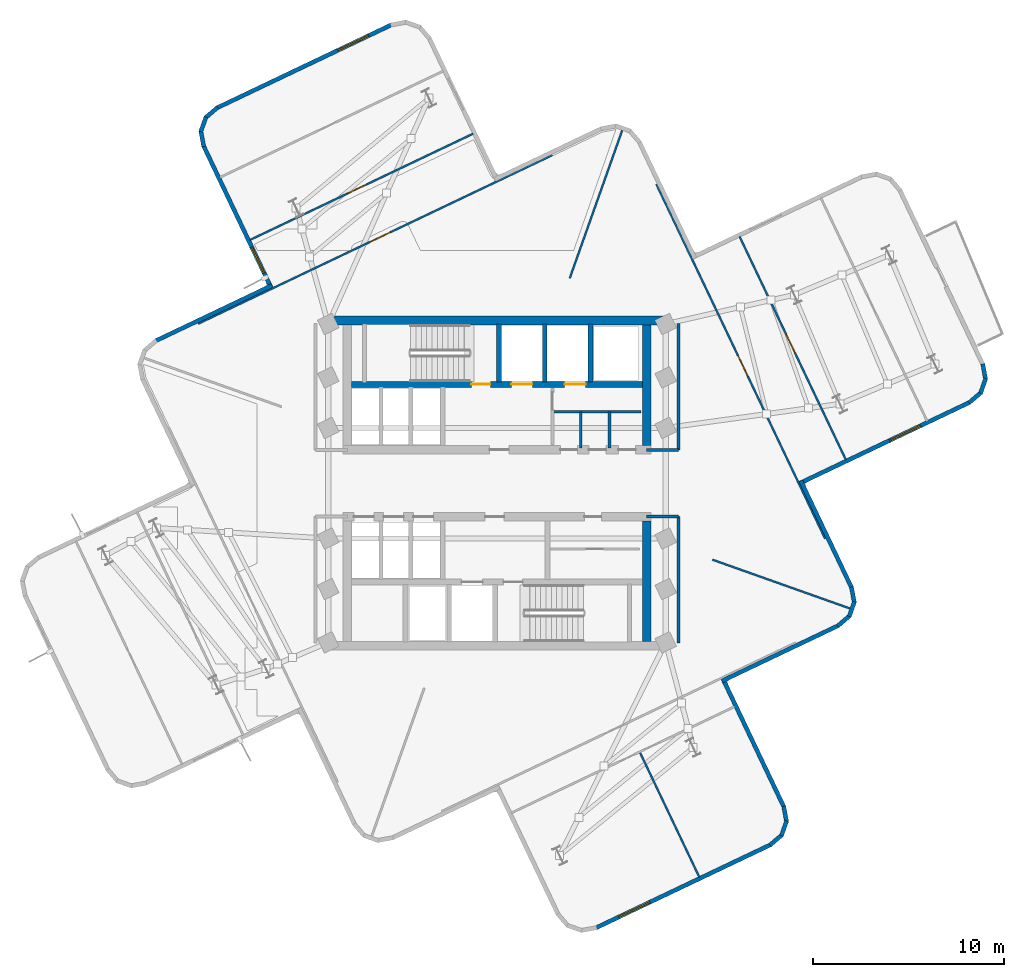
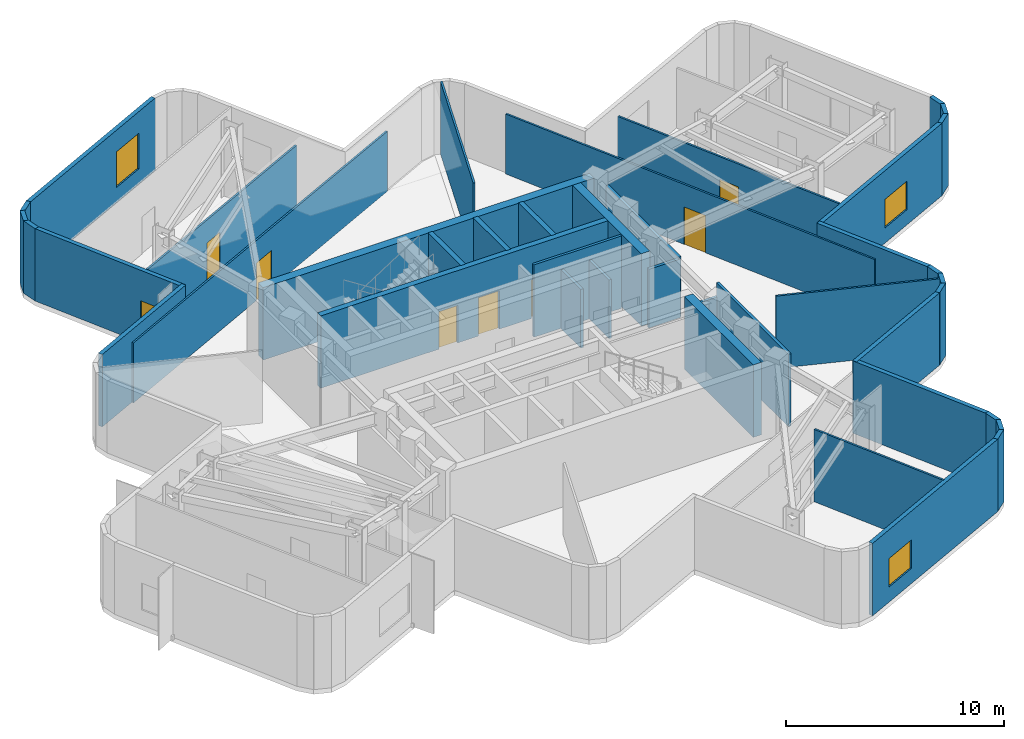
# One storey, part 4 of 7: 41 walls, 7 doors, 4 windows, 11 openings.
"""IFC4 building model written with IfcOpenShell, lengths in metres."""

import ifcopenshell
import ifcopenshell.guid

model = None  # the IFC model being written
_history = None  # IfcOwnerHistory: only IFC2X3 demands one
_inside = {}  # id of a spatial element -> (the spatial element, [elements in it])
_under = {}  # id of a project, library or spatial element -> (it, [spatial elements below it])
_declared = {}  # id of a project -> (the project, [libraries it declares])
_typed = {}  # id of a type object -> (the type object, [elements of that type])
_made_of = {}  # id of a material, layer set ... -> (it, [elements and type objects made of it])


def new_model(schema):
    """Start an empty IFC model of exactly this schema.

    Asked for "IFC4X3", IfcOpenShell would pick the latest addendum, in which some entities
    have other attributes; the version numbers below select the first issue.
    IFC2X3 requires an IfcOwnerHistory on every rooted entity: one is made here for all.
    """
    global model, _history
    if schema == "IFC4X3":
        model = ifcopenshell.file(schema_version=(4, 3, 0, 0))
    else:
        model = ifcopenshell.file(schema=schema)
    _inside.clear()
    _under.clear()
    _declared.clear()
    _typed.clear()
    _made_of.clear()
    _history = None
    if model.schema == "IFC2X3":
        org = make("IfcOrganization", Name="unknown")
        user = make(
            "IfcPersonAndOrganization",
            ThePerson=make("IfcPerson", FamilyName="unknown"),
            TheOrganization=org,
        )
        app = make(
            "IfcApplication",
            ApplicationDeveloper=org,
            Version="unknown",
            ApplicationFullName="unknown",
            ApplicationIdentifier="unknown",
        )
        _history = make(
            "IfcOwnerHistory",
            OwningUser=user,
            OwningApplication=app,
            ChangeAction="ADDED",
            CreationDate=0,
        )
    return model


def make(cls, **values):
    """One entity of the class cls with the attributes given. An attribute that is None is left unset."""
    return model.create_entity(
        cls, **{name: value for name, value in values.items() if value is not None}
    )


def rooted(cls, **values):
    """An entity with a GlobalId (a new one), such as an element, a storey or a relation."""
    return make(cls, GlobalId=ifcopenshell.guid.new(), OwnerHistory=_history, **values)


def si_unit(unit_type, name, prefix=None):
    """IfcSIUnit, for example si_unit("LENGTHUNIT", "METRE", prefix="MILLI")."""
    return make("IfcSIUnit", UnitType=unit_type, Prefix=prefix, Name=name)


def assignment(units):
    """IfcUnitAssignment: the units of a project."""
    return None if units is None else make("IfcUnitAssignment", Units=units)


def point(xyz):
    """IfcCartesianPoint."""
    return None if xyz is None else make("IfcCartesianPoint", Coordinates=xyz)


def direction(xyz):
    """IfcDirection."""
    return None if xyz is None else make("IfcDirection", DirectionRatios=xyz)


def frame(location, z_axis=None, x_axis=None):
    """IfcAxis2Placement3D, a coordinate frame: its origin and axes. An axis left out is left unset."""
    return make(
        "IfcAxis2Placement3D",
        Location=point(location),
        Axis=direction(z_axis),
        RefDirection=direction(x_axis),
    )


def frame_2d(location, x_axis=None):
    """IfcAxis2Placement2D, a coordinate frame in the plane: its origin and x axis."""
    return make(
        "IfcAxis2Placement2D", Location=point(location), RefDirection=direction(x_axis)
    )


def origin():
    """The frame at (0, 0, 0) with its axes left unset."""
    return frame((0.0, 0.0, 0.0))


def place(relative_to, where):
    """IfcLocalPlacement: puts the frame where relative to a parent placement (None: the world)."""
    return make(
        "IfcLocalPlacement", PlacementRelTo=relative_to, RelativePlacement=where
    )


def context(
    kind, dimensions, precision=None, world=None, true_north=None, identifier=None
):
    """IfcGeometricRepresentationContext, for example the 3D "Model" context."""
    return make(
        "IfcGeometricRepresentationContext",
        ContextIdentifier=identifier,
        ContextType=kind,
        CoordinateSpaceDimension=dimensions,
        Precision=precision,
        WorldCoordinateSystem=world,
        TrueNorth=true_north,
    )


def subcontext(parent, identifier, kind, view, scale=None):
    """IfcGeometricRepresentationSubContext, for example "Body" below "Model"."""
    return make(
        "IfcGeometricRepresentationSubContext",
        ContextIdentifier=identifier,
        ContextType=kind,
        ParentContext=parent,
        TargetScale=scale,
        TargetView=view,
    )


def project(units=None, contexts=None):
    """IfcProject with its units and contexts."""
    return rooted(
        "IfcProject",
        Name="project",
        RepresentationContexts=contexts,
        UnitsInContext=assignment(units),
    )


def spatial(cls, under=None, at=None, **own):
    """A site, building, storey or space (cls), placed at a placement, below another one or the project."""
    s = rooted(cls, ObjectPlacement=at, **own)
    if under is not None:
        _under.setdefault(under.id(), (under, []))[1].append(s)
    return s


def profile(cls, at=None, kind="AREA", **sizes):
    """A parametric profile (cls). Its sizes go by their IFC names, for example OverallWidth=200.0."""
    return make(cls, ProfileType=kind, Position=at, **sizes)


def rectangle(**sizes):
    """IfcRectangleProfileDef."""
    return profile("IfcRectangleProfileDef", **sizes)


def extrude(swept, where, along, depth):
    """IfcExtrudedAreaSolid: the profile swept, set in the frame where, extruded along a direction by depth."""
    return make(
        "IfcExtrudedAreaSolid",
        SweptArea=swept,
        Position=where,
        ExtrudedDirection=direction(along),
        Depth=depth,
    )


def shape(context_of_items, identifier, shape_type, items):
    """IfcShapeRepresentation: the items that make up one representation, for example the "Body"."""
    return make(
        "IfcShapeRepresentation",
        ContextOfItems=context_of_items,
        RepresentationIdentifier=identifier,
        RepresentationType=shape_type,
        Items=items,
    )


def material(Name=None, Category=None):
    """IfcMaterial."""
    return make("IfcMaterial", Name=Name, Category=Category)


def layer(
    of_material, thickness, ventilated=None, Name=None, Category=None, Priority=None
):
    """IfcMaterialLayer: one layer of a wall or slab, of a material (None: an air gap)."""
    return make(
        "IfcMaterialLayer",
        Material=of_material,
        LayerThickness=thickness,
        IsVentilated=ventilated,
        Name=Name,
        Category=Category,
        Priority=Priority,
    )


def layer_set(layers, Name=None):
    """IfcMaterialLayerSet."""
    return make("IfcMaterialLayerSet", MaterialLayers=layers, LayerSetName=Name)


def made_of(thing, what):
    """Note that an element or type object is made of a material, layer set ...; save() writes the relation."""
    if what is not None:
        _made_of.setdefault(what.id(), (what, []))[1].append(thing)
    return thing


def type_object(cls, material=None, **own):
    """A type object (cls), such as IfcWallType, which elements share."""
    return made_of(rooted(cls, **own), material)


def element(
    cls,
    number,
    at=None,
    inside=None,
    cuts=None,
    type_object=None,
    material=None,
    context=None,
    identifier="Body",
    shape_type=None,
    held_by="IfcProductDefinitionShape",
    body=None,
    shapes=None,
    **own,
):
    """One element of the class cls, such as IfcWall. Its Tag is "e" and its number.

    at: its placement. inside: the storey or other place that contains it. cuts: it is an
    opening in that element (IfcRelVoidsElement). A single representation is given by context,
    identifier, shape_type and body (its items); several are given by shapes. held_by: the class
    of the entity that holds the representations. save() writes the other relations.
    """
    e = rooted(cls, Tag="e%d" % number, ObjectPlacement=at, **own)
    if body is not None:
        shapes = [shape(context, identifier, shape_type, body)]
    if shapes is not None:
        e.Representation = make(held_by, Representations=shapes)
    if inside is not None:
        _inside.setdefault(inside.id(), (inside, []))[1].append(e)
    if cuts is not None:
        rooted(
            "IfcRelVoidsElement", RelatingBuildingElement=cuts, RelatedOpeningElement=e
        )
    if type_object is not None:
        _typed.setdefault(type_object.id(), (type_object, []))[1].append(e)
    return made_of(e, material)


def fill(opening, filler):
    """IfcRelFillsElement: the door or window that sits in an opening."""
    return rooted(
        "IfcRelFillsElement",
        RelatingOpeningElement=opening,
        RelatedBuildingElement=filler,
    )


def aggregate(whole, parts):
    """IfcRelAggregates: a whole, such as a stair, and the parts it consists of."""
    return rooted("IfcRelAggregates", RelatingObject=whole, RelatedObjects=parts)


def save(model, path):
    """Write the relations noted so far, then the file.

    IfcRelAggregates (storeys below a building ...), IfcRelContainedInSpatialStructure (elements
    in a storey), IfcRelDefinesByType, IfcRelAssociatesMaterial and IfcRelDeclares: one each for
    every whole, place, type object, material and project.
    """
    for whole, parts in _under.values():
        aggregate(whole, parts)
    for where, things in _inside.values():
        rooted(
            "IfcRelContainedInSpatialStructure",
            RelatedElements=things,
            RelatingStructure=where,
        )
    for kind, things in _typed.values():
        rooted("IfcRelDefinesByType", RelatedObjects=things, RelatingType=kind)
    for what, things in _made_of.values():
        rooted("IfcRelAssociatesMaterial", RelatedObjects=things, RelatingMaterial=what)
    for by, libraries in _declared.values():
        rooted("IfcRelDeclares", RelatingContext=by, RelatedDefinitions=libraries)
    model.write(path)


model = new_model("IFC4")

# Units and contexts
model_context = context("Model", 3, precision=1e-05, world=origin(), true_north=direction((0.0, 1.0)))
body_context = subcontext(model_context, "Body", "Model", "MODEL_VIEW")
ifc_project = project(units=[si_unit("LENGTHUNIT", "METRE"), si_unit("AREAUNIT", "SQUARE_METRE"), si_unit("VOLUMEUNIT", "CUBIC_METRE"), si_unit("PLANEANGLEUNIT", "RADIAN"), si_unit("MASSUNIT", "GRAM", prefix="KILO")], contexts=[model_context])

# Site, building, storey
site_placement = place(None, origin())
site = spatial("IfcSite", under=ifc_project, at=site_placement, CompositionType="ELEMENT")
building_placement = place(site_placement, origin())
building = spatial("IfcBuilding", under=site, at=building_placement, Name="Solmarez Civic Tower", CompositionType="ELEMENT")
storey_placement = place(building_placement, frame((0.0, 0.0, 188.280029296875)))
storey = spatial("IfcBuildingStorey", under=building, at=storey_placement, Name="L50", CompositionType="ELEMENT", Elevation=188.280029296875)

# Walls
ifc_material_1 = material(Name="Concrete C50/60", Category="concrete")
ifc_layer_1 = layer(ifc_material_1, 0.449951171875)
ifc_layer_set_1 = layer_set([ifc_layer_1], Name="Concrete C50/60")
wall_type_1 = type_object("IfcWallType", Name="WALL-CORE-450", PredefinedType="SHEAR", material=ifc_layer_set_1)
wall_1_placement = place(storey_placement, frame((-8.780029296875, 8.534912109375, 0.0), z_axis=(0.0, 0.0, 1.0), x_axis=(1.0, 0.0, 0.0)))
element("IfcWall", 1, at=wall_1_placement, inside=storey, type_object=wall_type_1, Name="L50 Split-Core Structural Wall NCW-N-L50", PredefinedType="SHEAR", context=body_context, shape_type="SweptSolid", body=[
    extrude(rectangle(XDim=17.56005859375, YDim=0.449951171875, at=frame_2d((8.780029296875, 0.0))), origin(), (0.0, 0.0, 1.0), 4.06005859375),
])
for number, where, z_axis, x_axis, name in (
    (2, (7.844970703125, 8.31005859375, 0.0), (0.0, 0.0, 1.0), (0.0, -1.0, 0.0), "L50 Split-Core Structural Wall NCW-E-L50"),
    (3, (7.844970703125, -1.97509765625, 0.0), (0.0, 0.0, 1.0), (0.0, -1.0, 0.0), "L50 Split-Core Structural Wall SCW-E-L50"),
):
    element("IfcWall", number, at=place(storey_placement, frame(where, z_axis=z_axis, x_axis=x_axis)), inside=storey, type_object=wall_type_1, Name=name, PredefinedType="SHEAR", context=body_context, shape_type="SweptSolid", body=[
        extrude(rectangle(XDim=6.3349609375, YDim=0.449951171875, at=frame_2d((3.16748046875, 0.0))), origin(), (0.0, 0.0, 1.0), 4.06005859375),
    ])
ifc_material_2 = material(Name="Precast concrete C40/50", Category="concrete")
ifc_layer_2 = layer(ifc_material_2, 0.219970703125)
ifc_layer_set_2 = layer_set([ifc_layer_2], Name="Precast concrete C40/50")
wall_type_2 = type_object("IfcWallType", Name="WALL-EXT-220", PredefinedType="SOLIDWALL", material=ifc_layer_set_2)
wall_2_placement = place(storey_placement, frame((-17.909912109375, 7.466064453125, 0.0), z_axis=(0.0, 0.0, 1.0), x_axis=(0.902871867899, 0.429909746524, 0.0)))
element("IfcWall", 4, at=wall_2_placement, inside=storey, type_object=wall_type_2, Name="L50 Exterior Precast Wall 17", PredefinedType="SOLIDWALL", context=body_context, shape_type="SweptSolid", body=[
    extrude(rectangle(XDim=6.759521484375, YDim=0.219970703125, at=frame_2d((3.3798828125, 0.0))), origin(), (0.0, 0.0, 1.0), 4.06005859375),
])

# Wall, opening, window
wall_3_placement = place(storey_placement, frame((-11.847900390625, 10.2548828125, 0.0), z_axis=(0.0, 0.0, 1.0), x_axis=(-0.429985218275, 0.902835927544, 0.0)))
wall_3 = element("IfcWall", 5, at=wall_3_placement, inside=storey, type_object=wall_type_2, Name="L50 Exterior Precast Wall 20", PredefinedType="SOLIDWALL", context=body_context, shape_type="SweptSolid", body=[
    extrude(rectangle(XDim=8.258544921875, YDim=0.219970703125, at=frame_2d((4.12939453125, 0.0))), origin(), (0.0, 0.0, 1.0), 4.06005859375),
])
opening_1_placement = place(wall_3_placement, frame((0.85009765625, 0.0, 0.85009765625)))
opening_1 = element("IfcOpeningElement", 6, at=opening_1_placement, cuts=wall_3, Name="Opening W-14", PredefinedType="OPENING", context=body_context, shape_type="SweptSolid", body=[
    extrude(rectangle(XDim=1.5, YDim=1.5, at=frame_2d((0.75, 0.75))), frame((0.0, 0.119873046875, 0.0), z_axis=(0.0, -1.0, 0.0), x_axis=(1.0, 0.0, 0.0)), (0.0, 0.0, 1.0), 0.239990234375),
])
ifc_material_3 = material(Name="Solar Control Bronze-Tinted Insulating Glass", Category="glass")
window_type_1 = type_object("IfcWindowType", Name="WIN-1500X1500", PartitioningType="SINGLE_PANEL", PredefinedType="WINDOW", material=ifc_material_3)
window_1_placement = place(opening_1_placement, origin())
window_1 = element("IfcWindow", 7, at=window_1_placement, inside=storey, type_object=window_type_1, Name="L50 Exterior Facade Window 20", OverallHeight=1.5, OverallWidth=1.5, PartitioningType="SINGLE_PANEL", PredefinedType="WINDOW", context=body_context, shape_type="SweptSolid", body=[
    extrude(rectangle(XDim=1.5, YDim=1.5, at=frame_2d((0.75, 0.75))), frame((0.0, 0.030029296875, 0.0), z_axis=(0.0, -1.0, 0.0), x_axis=(1.0, 0.0, 0.0)), (0.0, 0.0, 1.0), 0.06005859375),
])
fill(opening_1, window_1)

# Walls
wall_4_placement = place(storey_placement, frame((-15.383056640625, 17.6630859375, 0.0), z_axis=(0.0, 0.0, 1.0), x_axis=(-0.183052517283, 0.983103135951, 0.0)))
element("IfcWall", 8, at=wall_4_placement, inside=storey, type_object=wall_type_2, Name="L50 Exterior Precast Wall 21", PredefinedType="SOLIDWALL", context=body_context, shape_type="SweptSolid", body=[
    extrude(rectangle(XDim=0.8349609375, YDim=0.219970703125, at=frame_2d((0.41748046875, 0.0))), origin(), (0.0, 0.0, 1.0), 4.06005859375),
])
wall_5_placement = place(storey_placement, frame((-15.5390625, 18.43505859375, 0.0), z_axis=(0.0, 0.0, 1.0), x_axis=(0.334298968001, 0.94246708165, 0.0)))
element("IfcWall", 9, at=wall_5_placement, inside=storey, type_object=wall_type_2, Name="L50 Exterior Precast Wall 22", PredefinedType="SOLIDWALL", context=body_context, shape_type="SweptSolid", body=[
    extrude(rectangle(XDim=0.820068359375, YDim=0.219970703125, at=frame_2d((0.41015625, 0.0))), origin(), (0.0, 0.0, 1.0), 4.06005859375),
])
wall_6_placement = place(storey_placement, frame((-15.2919921875, 19.16796875, 0.0), z_axis=(0.0, 0.0, 1.0), x_axis=(0.76070207285, 0.649101191157, 0.0)))
element("IfcWall", 10, at=wall_6_placement, inside=storey, type_object=wall_type_2, Name="L50 Exterior Precast Wall 23", PredefinedType="SOLIDWALL", context=body_context, shape_type="SweptSolid", body=[
    extrude(rectangle(XDim=0.83349609375, YDim=0.219970703125, at=frame_2d((0.416748046875, 0.0))), origin(), (0.0, 0.0, 1.0), 4.06005859375),
])

# Wall, opening, window
wall_7_placement = place(storey_placement, frame((-14.699951171875, 19.681884765625, 0.0), z_axis=(0.0, 0.0, 1.0), x_axis=(0.902875615419, 0.429901876109, 0.0)))
wall_7 = element("IfcWall", 11, at=wall_7_placement, inside=storey, type_object=wall_type_2, Name="L50 Exterior Precast Wall 24", PredefinedType="SOLIDWALL", context=body_context, shape_type="SweptSolid", body=[
    extrude(rectangle(XDim=10.1630859375, YDim=0.219970703125, at=frame_2d((5.08154296875, 0.0))), origin(), (0.0, 0.0, 1.0), 4.06005859375),
])
opening_2_placement = place(wall_7_placement, frame((7.027099609375, 0.0, 0.85009765625)))
opening_2 = element("IfcOpeningElement", 12, at=opening_2_placement, cuts=wall_7, Name="Opening W-04", PredefinedType="OPENING", context=body_context, shape_type="SweptSolid", body=[
    extrude(rectangle(XDim=1.800048828125, YDim=2.0, at=frame_2d((0.89990234375, 1.0))), frame((0.0, 0.119873046875, 0.0), z_axis=(0.0, -1.0, 0.0), x_axis=(1.0, 0.0, 0.0)), (0.0, 0.0, 1.0), 0.239990234375),
])
window_type_2 = type_object("IfcWindowType", Name="WIN-1800X2000", PartitioningType="SINGLE_PANEL", PredefinedType="WINDOW", material=ifc_material_3)
window_2_placement = place(opening_2_placement, origin())
window_2 = element("IfcWindow", 13, at=window_2_placement, inside=storey, type_object=window_type_2, Name="L50 Exterior Facade Window 24", OverallHeight=2.0, OverallWidth=1.800048828125, PartitioningType="SINGLE_PANEL", PredefinedType="WINDOW", context=body_context, shape_type="SweptSolid", body=[
    extrude(rectangle(XDim=1.800048828125, YDim=2.0, at=frame_2d((0.89990234375, 1.0))), frame((0.0, 0.030029296875, 0.0), z_axis=(0.0, -1.0, 0.0), x_axis=(1.0, 0.0, 0.0)), (0.0, 0.0, 1.0), 0.06005859375),
])
fill(opening_2, window_2)

# Walls
wall_8_placement = place(storey_placement, frame((25.47900390625, 6.260009765625, 0.0), z_axis=(0.0, 0.0, 1.0), x_axis=(0.183282428617, -0.983060298944, 0.0)))
element("IfcWall", 14, at=wall_8_placement, inside=storey, type_object=wall_type_2, Name="L50 Exterior Precast Wall 43", PredefinedType="SOLIDWALL", context=body_context, shape_type="SweptSolid", body=[
    extrude(rectangle(XDim=0.835205078125, YDim=0.219970703125, at=frame_2d((0.41748046875, 0.0))), origin(), (0.0, 0.0, 1.0), 4.06005859375),
])
wall_9_placement = place(storey_placement, frame((25.635009765625, 5.488037109375, 0.0), z_axis=(0.0, 0.0, 1.0), x_axis=(-0.332975902111, -0.94293533639, 0.0)))
element("IfcWall", 15, at=wall_9_placement, inside=storey, type_object=wall_type_2, Name="L50 Exterior Precast Wall 44", PredefinedType="SOLIDWALL", context=body_context, shape_type="SweptSolid", body=[
    extrude(rectangle(XDim=0.81982421875, YDim=0.219970703125, at=frame_2d((0.409912109375, 0.0))), origin(), (0.0, 0.0, 1.0), 4.06005859375),
])
wall_10_placement = place(storey_placement, frame((25.388916015625, 4.7548828125, 0.0), z_axis=(0.0, 0.0, 1.0), x_axis=(-0.76133955124, -0.648353366396, 0.0)))
element("IfcWall", 16, at=wall_10_placement, inside=storey, type_object=wall_type_2, Name="L50 Exterior Precast Wall 45", PredefinedType="SOLIDWALL", context=body_context, shape_type="SweptSolid", body=[
    extrude(rectangle(XDim=0.833984375, YDim=0.219970703125, at=frame_2d((0.4169921875, 0.0))), origin(), (0.0, 0.0, 1.0), 4.06005859375),
])

# Wall, opening, window
wall_11_placement = place(storey_placement, frame((24.7958984375, 4.240966796875, 0.0), z_axis=(0.0, 0.0, 1.0), x_axis=(-0.902859145715, -0.429936463909, 0.0)))
wall_11 = element("IfcWall", 17, at=wall_11_placement, inside=storey, type_object=wall_type_2, Name="L50 Exterior Precast Wall 46", PredefinedType="SOLIDWALL", context=body_context, shape_type="SweptSolid", body=[
    extrude(rectangle(XDim=9.859619140625, YDim=0.219970703125, at=frame_2d((4.9296875, 0.0))), origin(), (0.0, 0.0, 1.0), 4.06005859375),
])
opening_3_placement = place(wall_11_placement, frame((2.85009765625, 0.0, 0.85009765625)))
opening_3 = element("IfcOpeningElement", 18, at=opening_3_placement, cuts=wall_11, Name="Opening W-12", PredefinedType="OPENING", context=body_context, shape_type="SweptSolid", body=[
    extrude(rectangle(XDim=1.800048828125, YDim=1.60009765625, at=frame_2d((0.89990234375, 0.800048828125))), frame((0.0, 0.119873046875, 0.0), z_axis=(0.0, -1.0, 0.0), x_axis=(1.0, 0.0, 0.0)), (0.0, 0.0, 1.0), 0.239990234375),
])
window_type_3 = type_object("IfcWindowType", Name="WIN-1800X1600", PartitioningType="SINGLE_PANEL", PredefinedType="WINDOW", material=ifc_material_3)
window_3_placement = place(opening_3_placement, origin())
window_3 = element("IfcWindow", 19, at=window_3_placement, inside=storey, type_object=window_type_3, Name="L50 Exterior Facade Window 46", OverallHeight=1.60009765625, OverallWidth=1.800048828125, PartitioningType="SINGLE_PANEL", PredefinedType="WINDOW", context=body_context, shape_type="SweptSolid", body=[
    extrude(rectangle(XDim=1.800048828125, YDim=1.60009765625, at=frame_2d((0.89990234375, 0.800048828125))), frame((0.0, 0.030029296875, 0.0), z_axis=(0.0, -1.0, 0.0), x_axis=(1.0, 0.0, 0.0)), (0.0, 0.0, 1.0), 0.06005859375),
])
fill(opening_3, window_3)

# Walls
wall_12_placement = place(storey_placement, frame((15.93505859375, 0.118896484375, 0.0), z_axis=(0.0, 0.0, 1.0), x_axis=(0.429997588734, -0.902830035878, 0.0)))
element("IfcWall", 20, at=wall_12_placement, inside=storey, type_object=wall_type_2, Name="L50 Exterior Precast Wall 49", PredefinedType="SOLIDWALL", context=body_context, shape_type="SweptSolid", body=[
    extrude(rectangle(XDim=6.21826171875, YDim=0.219970703125, at=frame_2d((3.109130859375, 0.0))), origin(), (0.0, 0.0, 1.0), 4.06005859375),
])
wall_13_placement = place(storey_placement, frame((18.593017578125, -5.447021484375, 0.0), z_axis=(0.0, 0.0, 1.0), x_axis=(0.183282428617, -0.983060298944, 0.0)))
element("IfcWall", 21, at=wall_13_placement, inside=storey, type_object=wall_type_2, Name="L50 Exterior Precast Wall 50", PredefinedType="SOLIDWALL", context=body_context, shape_type="SweptSolid", body=[
    extrude(rectangle(XDim=0.835205078125, YDim=0.219970703125, at=frame_2d((0.41748046875, 0.0))), origin(), (0.0, 0.0, 1.0), 4.06005859375),
])
wall_14_placement = place(storey_placement, frame((18.7490234375, -6.218994140625, 0.0), z_axis=(0.0, 0.0, 1.0), x_axis=(-0.33403451258, -0.942560843875, 0.0)))
element("IfcWall", 22, at=wall_14_placement, inside=storey, type_object=wall_type_2, Name="L50 Exterior Precast Wall 51", PredefinedType="SOLIDWALL", context=body_context, shape_type="SweptSolid", body=[
    extrude(rectangle(XDim=0.820068359375, YDim=0.219970703125, at=frame_2d((0.41015625, 0.0))), origin(), (0.0, 0.0, 1.0), 4.06005859375),
])
wall_15_placement = place(storey_placement, frame((18.501953125, -6.951904296875, 0.0), z_axis=(0.0, 0.0, 1.0), x_axis=(-0.76070207285, -0.649101191157, 0.0)))
element("IfcWall", 23, at=wall_15_placement, inside=storey, type_object=wall_type_2, Name="L50 Exterior Precast Wall 52", PredefinedType="SOLIDWALL", context=body_context, shape_type="SweptSolid", body=[
    extrude(rectangle(XDim=0.83349609375, YDim=0.219970703125, at=frame_2d((0.416748046875, 0.0))), origin(), (0.0, 0.0, 1.0), 4.06005859375),
])
wall_16_placement = place(storey_placement, frame((17.909912109375, -7.466064453125, 0.0), z_axis=(0.0, 0.0, 1.0), x_axis=(-0.902871867899, -0.429909746524, 0.0)))
element("IfcWall", 24, at=wall_16_placement, inside=storey, type_object=wall_type_2, Name="L50 Exterior Precast Wall 53", PredefinedType="SOLIDWALL", context=body_context, shape_type="SweptSolid", body=[
    extrude(rectangle(XDim=6.759521484375, YDim=0.219970703125, at=frame_2d((3.3798828125, 0.0))), origin(), (0.0, 0.0, 1.0), 4.06005859375),
])
wall_17_placement = place(storey_placement, frame((11.847900390625, -10.2548828125, 0.0), z_axis=(0.0, 0.0, 1.0), x_axis=(0.429966614546, -0.902844787533, 0.0)))
element("IfcWall", 25, at=wall_17_placement, inside=storey, type_object=wall_type_2, Name="L50 Exterior Precast Wall 56", PredefinedType="SOLIDWALL", context=body_context, shape_type="SweptSolid", body=[
    extrude(rectangle(XDim=7.458740234375, YDim=0.219970703125, at=frame_2d((3.7294921875, 0.0))), origin(), (0.0, 0.0, 1.0), 4.06005859375),
])
wall_18_placement = place(storey_placement, frame((15.0390625, -16.94091796875, 0.0), z_axis=(0.0, 0.0, 1.0), x_axis=(0.182999909077, -0.983112930074, 0.0)))
element("IfcWall", 26, at=wall_18_placement, inside=storey, type_object=wall_type_2, Name="L50 Exterior Precast Wall 57", PredefinedType="SOLIDWALL", context=body_context, shape_type="SweptSolid", body=[
    extrude(rectangle(XDim=0.835205078125, YDim=0.219970703125, at=frame_2d((0.41748046875, 0.0))), origin(), (0.0, 0.0, 1.0), 4.06005859375),
])
wall_19_placement = place(storey_placement, frame((15.195068359375, -17.712890625, 0.0), z_axis=(0.0, 0.0, 1.0), x_axis=(-0.33420520266, -0.942500335552, 0.0)))
element("IfcWall", 27, at=wall_19_placement, inside=storey, type_object=wall_type_2, Name="L50 Exterior Precast Wall 58", PredefinedType="SOLIDWALL", context=body_context, shape_type="SweptSolid", body=[
    extrude(rectangle(XDim=0.8203125, YDim=0.219970703125, at=frame_2d((0.41015625, 0.0))), origin(), (0.0, 0.0, 1.0), 4.06005859375),
])
wall_20_placement = place(storey_placement, frame((14.947998046875, -18.446044921875, 0.0), z_axis=(0.0, 0.0, 1.0), x_axis=(-0.76070207285, -0.649101191157, 0.0)))
element("IfcWall", 28, at=wall_20_placement, inside=storey, type_object=wall_type_2, Name="L50 Exterior Precast Wall 59", PredefinedType="SOLIDWALL", context=body_context, shape_type="SweptSolid", body=[
    extrude(rectangle(XDim=0.83349609375, YDim=0.219970703125, at=frame_2d((0.416748046875, 0.0))), origin(), (0.0, 0.0, 1.0), 4.06005859375),
])

# Wall, opening, window
wall_21_placement = place(storey_placement, frame((14.35595703125, -18.9599609375, 0.0), z_axis=(0.0, 0.0, 1.0), x_axis=(-0.902857854372, -0.429939175696, 0.0)))
wall_21 = element("IfcWall", 29, at=wall_21_placement, inside=storey, type_object=wall_type_2, Name="L50 Exterior Precast Wall 60", PredefinedType="SOLIDWALL", context=body_context, shape_type="SweptSolid", body=[
    extrude(rectangle(XDim=10.162109375, YDim=0.219970703125, at=frame_2d((5.0810546875, 0.0))), origin(), (0.0, 0.0, 1.0), 4.06005859375),
])
opening_4_placement = place(wall_21_placement, frame((7.02587890625, 0.0, 0.85009765625)))
opening_4 = element("IfcOpeningElement", 30, at=opening_4_placement, cuts=wall_21, Name="Opening W-12", PredefinedType="OPENING", context=body_context, shape_type="SweptSolid", body=[
    extrude(rectangle(XDim=1.800048828125, YDim=1.60009765625, at=frame_2d((0.89990234375, 0.800048828125))), frame((0.0, 0.119873046875, 0.0), z_axis=(0.0, -1.0, 0.0), x_axis=(1.0, 0.0, 0.0)), (0.0, 0.0, 1.0), 0.239990234375),
])
window_4_placement = place(opening_4_placement, origin())
window_4 = element("IfcWindow", 31, at=window_4_placement, inside=storey, type_object=window_type_3, Name="L50 Exterior Facade Window 60", OverallHeight=1.60009765625, OverallWidth=1.800048828125, PartitioningType="SINGLE_PANEL", PredefinedType="WINDOW", context=body_context, shape_type="SweptSolid", body=[
    extrude(rectangle(XDim=1.800048828125, YDim=1.60009765625, at=frame_2d((0.89990234375, 0.800048828125))), frame((0.0, 0.030029296875, 0.0), z_axis=(0.0, -1.0, 0.0), x_axis=(1.0, 0.0, 0.0)), (0.0, 0.0, 1.0), 0.06005859375),
])
fill(opening_4, window_4)

# Walls
ifc_material_4 = material(Name="Gypsum Board Acoustic Steel-Stud Partition", Category="steel")
ifc_layer_3 = layer(ifc_material_4, 0.14990234375)
ifc_layer_set_3 = layer_set([ifc_layer_3], Name="Gypsum Board Acoustic Steel-Stud Partition")
wall_type_3 = type_object("IfcWallType", Name="WALL-INT-FIRE-150", PredefinedType="PARTITIONING", material=ifc_layer_set_3)
wall_22_placement = place(storey_placement, frame((9.52001953125, 1.75, 0.0), z_axis=(0.0, 0.0, 1.0), x_axis=(0.0, 1.0, 0.0)))
element("IfcWall", 32, at=wall_22_placement, inside=storey, type_object=wall_type_3, Name="L50 Interior Partition CHW-L50-EN1", PredefinedType="PARTITIONING", context=body_context, shape_type="SweptSolid", body=[
    extrude(rectangle(XDim=6.6298828125, YDim=0.14990234375, at=frame_2d((3.31494140625, 0.0))), origin(), (0.0, 0.0, 1.0), 3.364013671875),
])
wall_23_placement = place(storey_placement, frame((7.85009765625, 1.75, 0.0), z_axis=(0.0, 0.0, 1.0), x_axis=(1.0, 0.0, 0.0)))
element("IfcWall", 33, at=wall_23_placement, inside=storey, type_object=wall_type_3, Name="L50 Interior Partition CHW-L50-EN3", PredefinedType="PARTITIONING", context=body_context, shape_type="SweptSolid", body=[
    extrude(rectangle(XDim=1.669921875, YDim=0.14990234375, at=frame_2d((0.8349609375, 0.0))), origin(), (0.0, 0.0, 1.0), 3.2900390625),
])
wall_24_placement = place(storey_placement, frame((9.52001953125, -8.3798828125, 0.0), z_axis=(0.0, 0.0, 1.0), x_axis=(0.0, 1.0, 0.0)))
element("IfcWall", 34, at=wall_24_placement, inside=storey, type_object=wall_type_3, Name="L50 Interior Partition CHW-L50-ES1", PredefinedType="PARTITIONING", context=body_context, shape_type="SweptSolid", body=[
    extrude(rectangle(XDim=6.6298828125, YDim=0.14990234375, at=frame_2d((3.31494140625, 0.0))), origin(), (0.0, 0.0, 1.0), 4.06005859375),
])
wall_25_placement = place(storey_placement, frame((7.85009765625, -1.75, 0.0), z_axis=(0.0, 0.0, 1.0), x_axis=(1.0, 0.0, 0.0)))
element("IfcWall", 35, at=wall_25_placement, inside=storey, type_object=wall_type_3, Name="L50 Interior Partition CHW-L50-ES3", PredefinedType="PARTITIONING", context=body_context, shape_type="SweptSolid", body=[
    extrude(rectangle(XDim=1.669921875, YDim=0.14990234375, at=frame_2d((0.8349609375, 0.0))), origin(), (0.0, 0.0, 1.0), 3.2900390625),
])
ifc_layer_4 = layer(ifc_material_4, 0.10009765625)
ifc_layer_set_4 = layer_set([ifc_layer_4], Name="Gypsum Board Acoustic Steel-Stud Partition")
wall_type_4 = type_object("IfcWallType", Name="WALL-INT-PART-100", PredefinedType="PARTITIONING", material=ifc_layer_set_4)
wall_26_placement = place(storey_placement, frame((3.81298828125, 10.742919921875, 0.0), z_axis=(0.0, 0.0, 1.0), x_axis=(0.334412381202, 0.942426845595, 0.0)))
element("IfcWall", 36, at=wall_26_placement, inside=storey, type_object=wall_type_4, Name="L50 Interior Partition PT-L50-QDIV-1", PredefinedType="PARTITIONING", context=body_context, shape_type="SweptSolid", body=[
    extrude(rectangle(XDim=8.2744140625, YDim=0.10009765625, at=frame_2d((4.13720703125, 0.0))), origin(), (0.0, 0.0, 1.0), 4.06005859375),
])
wall_27_placement = place(storey_placement, frame((11.300048828125, -4.010986328125, 0.0), z_axis=(0.0, 0.0, 1.0), x_axis=(0.942439374513, -0.334377070636, 0.0)))
element("IfcWall", 37, at=wall_27_placement, inside=storey, type_object=wall_type_4, Name="L50 Interior Partition PT-L50-QDIV-4", PredefinedType="PARTITIONING", context=body_context, shape_type="SweptSolid", body=[
    extrude(rectangle(XDim=7.68310546875, YDim=0.10009765625, at=frame_2d((3.841552734375, 0.0))), origin(), (0.0, 0.0, 1.0), 4.06005859375),
])

# Wall, opening, door
wall_28_placement = place(storey_placement, frame((8.362060546875, 15.677001953125, 0.0), z_axis=(0.0, 0.0, 1.0), x_axis=(0.429924831179, -0.902864685064, 0.0)))
wall_28 = element("IfcWall", 38, at=wall_28_placement, inside=storey, type_object=wall_type_4, Name="L50 Interior Partition PT-L50-E-ENT", PredefinedType="PARTITIONING", context=body_context, shape_type="SweptSolid", body=[
    extrude(rectangle(XDim=20.580078125, YDim=0.10009765625, at=frame_2d((10.2900390625, 0.0))), origin(), (0.0, 0.0, 1.0), 3.364013671875),
])
opening_5_placement = place(wall_28_placement, frame((9.9599609375, 0.0, 0.0)))
opening_5 = element("IfcOpeningElement", 39, at=opening_5_placement, cuts=wall_28, Name="Opening D-11", PredefinedType="OPENING", context=body_context, shape_type="SweptSolid", body=[
    extrude(rectangle(XDim=1.199951171875, YDim=2.10009765625, at=frame_2d((0.60009765625, 1.050048828125))), frame((0.0, 0.06005859375, 0.0), z_axis=(0.0, -1.0, 0.0), x_axis=(1.0, 0.0, 0.0)), (0.0, 0.0, 1.0), 0.1201171875),
])
ifc_material_5 = material(Name="Glazed-Vision Acoustic Chamber Door", Category="wood")
door_type_1 = type_object("IfcDoorType", Name="DOOR-INT-1200", OperationType="NOTDEFINED", PredefinedType="DOOR", material=ifc_material_5)
door_1_placement = place(opening_5_placement, origin())
door_1 = element("IfcDoor", 40, at=door_1_placement, inside=storey, type_object=door_type_1, Name="L50 Tribunal Chamber Tribunal Mediation Conference Room First East Door", OperationType="SINGLE_SWING_LEFT", OverallHeight=2.10009765625, OverallWidth=1.199951171875, PredefinedType="DOOR", context=body_context, shape_type="SweptSolid", body=[
    extrude(rectangle(XDim=1.199951171875, YDim=2.10009765625, at=frame_2d((0.60009765625, 1.050048828125))), frame((0.0, 0.02490234375, 0.0), z_axis=(0.0, -1.0, 0.0), x_axis=(1.0, 0.0, 0.0)), (0.0, 0.0, 1.0), 0.050048828125),
])
fill(opening_5, door_1)

wall_29_placement = place(storey_placement, frame((12.721923828125, 12.94091796875, 0.0), z_axis=(0.0, 0.0, 1.0), x_axis=(0.429933580392, -0.902860518824, 0.0)))
wall_29 = element("IfcWall", 41, at=wall_29_placement, inside=storey, type_object=wall_type_4, Name="L50 Interior Partition PT-L50-E-SC1", PredefinedType="PARTITIONING", context=body_context, shape_type="SweptSolid", body=[
    extrude(rectangle(XDim=12.9697265625, YDim=0.10009765625, at=frame_2d((6.48486328125, 0.0))), origin(), (0.0, 0.0, 1.0), 3.364013671875),
])
opening_6_placement = place(wall_29_placement, frame((5.68994140625, 0.0, 0.0)))
opening_6 = element("IfcOpeningElement", 42, at=opening_6_placement, cuts=wall_29, Name="Opening D-13", PredefinedType="OPENING", context=body_context, shape_type="SweptSolid", body=[
    extrude(rectangle(XDim=1.050048828125, YDim=2.080078125, at=frame_2d((0.52490234375, 1.0400390625))), frame((0.0, 0.06005859375, 0.0), z_axis=(0.0, -1.0, 0.0), x_axis=(1.0, 0.0, 0.0)), (0.0, 0.0, 1.0), 0.1201171875),
])
ifc_material_6 = material(Name="Timber Directorate Office Door", Category="wood")
door_type_2 = type_object("IfcDoorType", Name="DOOR-INT-1050", OperationType="NOTDEFINED", PredefinedType="DOOR", material=ifc_material_6)
door_2_placement = place(opening_6_placement, origin())
door_2 = element("IfcDoor", 43, at=door_2_placement, inside=storey, type_object=door_type_2, Name="L50 Counsel Administration Office East Door", OperationType="SINGLE_SWING_LEFT", OverallHeight=2.080078125, OverallWidth=1.050048828125, PredefinedType="DOOR", context=body_context, shape_type="SweptSolid", body=[
    extrude(rectangle(XDim=1.050048828125, YDim=2.080078125, at=frame_2d((0.52490234375, 1.0400390625))), frame((0.0, 0.02490234375, 0.0), z_axis=(0.0, -1.0, 0.0), x_axis=(1.0, 0.0, 0.0)), (0.0, 0.0, 1.0), 0.050048828125),
])
fill(opening_6, door_2)

wall_30_placement = place(storey_placement, frame((-15.677001953125, 8.362060546875, 0.0), z_axis=(0.0, 0.0, 1.0), x_axis=(0.902864685064, 0.429924831179, 0.0)))
wall_30 = element("IfcWall", 44, at=wall_30_placement, inside=storey, type_object=wall_type_4, Name="L50 Interior Partition PT-L50-N-ENT", PredefinedType="PARTITIONING", context=body_context, shape_type="SweptSolid", body=[
    extrude(rectangle(XDim=20.580078125, YDim=0.10009765625, at=frame_2d((10.2900390625, 0.0))), origin(), (0.0, 0.0, 1.0), 3.364013671875),
])
opening_7_placement = place(wall_30_placement, frame((9.9599609375, 0.0, 0.0)))
opening_7 = element("IfcOpeningElement", 45, at=opening_7_placement, cuts=wall_30, Name="Opening D-11", PredefinedType="OPENING", context=body_context, shape_type="SweptSolid", body=[
    extrude(rectangle(XDim=1.199951171875, YDim=2.10009765625, at=frame_2d((0.60009765625, 1.050048828125))), frame((0.0, 0.06005859375, 0.0), z_axis=(0.0, -1.0, 0.0), x_axis=(1.0, 0.0, 0.0)), (0.0, 0.0, 1.0), 0.1201171875),
])
door_3_placement = place(opening_7_placement, origin())
door_3 = element("IfcDoor", 46, at=door_3_placement, inside=storey, type_object=door_type_1, Name="L50 Counsel Administration Office First North Door", OperationType="SINGLE_SWING_LEFT", OverallHeight=2.10009765625, OverallWidth=1.199951171875, PredefinedType="DOOR", context=body_context, shape_type="SweptSolid", body=[
    extrude(rectangle(XDim=1.199951171875, YDim=2.10009765625, at=frame_2d((0.60009765625, 1.050048828125))), frame((0.0, 0.02490234375, 0.0), z_axis=(0.0, -1.0, 0.0), x_axis=(1.0, 0.0, 0.0)), (0.0, 0.0, 1.0), 0.050048828125),
])
fill(opening_7, door_3)

wall_31_placement = place(storey_placement, frame((-12.9580078125, 12.758056640625, 0.0), z_axis=(0.0, 0.0, 1.0), x_axis=(0.902867825554, 0.429918235923, 0.0)))
wall_31 = element("IfcWall", 47, at=wall_31_placement, inside=storey, type_object=wall_type_4, Name="L50 Interior Partition PT-L50-N-SC1", PredefinedType="PARTITIONING", context=body_context, shape_type="SweptSolid", body=[
    extrude(rectangle(XDim=12.9697265625, YDim=0.10009765625, at=frame_2d((6.48486328125, 0.0))), origin(), (0.0, 0.0, 1.0), 3.364013671875),
])
opening_8_placement = place(wall_31_placement, frame((5.68994140625, 0.0, 0.0)))
opening_8 = element("IfcOpeningElement", 48, at=opening_8_placement, cuts=wall_31, Name="Opening D-13", PredefinedType="OPENING", context=body_context, shape_type="SweptSolid", body=[
    extrude(rectangle(XDim=1.050048828125, YDim=2.080078125, at=frame_2d((0.52490234375, 1.0400390625))), frame((0.0, 0.06005859375, 0.0), z_axis=(0.0, -1.0, 0.0), x_axis=(1.0, 0.0, 0.0)), (0.0, 0.0, 1.0), 0.1201171875),
])
door_4_placement = place(opening_8_placement, origin())
door_4 = element("IfcDoor", 49, at=door_4_placement, inside=storey, type_object=door_type_2, Name="L50 Public Reading Room North Door", OperationType="SINGLE_SWING_LEFT", OverallHeight=2.080078125, OverallWidth=1.050048828125, PredefinedType="DOOR", context=body_context, shape_type="SweptSolid", body=[
    extrude(rectangle(XDim=1.050048828125, YDim=2.080078125, at=frame_2d((0.52490234375, 1.0400390625))), frame((0.0, 0.02490234375, 0.0), z_axis=(0.0, -1.0, 0.0), x_axis=(1.0, 0.0, 0.0)), (0.0, 0.0, 1.0), 0.050048828125),
])
fill(opening_8, door_4)

# Walls
wall_32_placement = place(storey_placement, frame((7.510009765625, -14.14501953125, 0.0), z_axis=(0.0, 0.0, 1.0), x_axis=(0.429902059569, -0.902875528065, 0.0)))
element("IfcWall", 50, at=wall_32_placement, inside=storey, type_object=wall_type_4, Name="L50 Interior Partition PT-L50-S-TM3", PredefinedType="PARTITIONING", context=body_context, shape_type="SweptSolid", body=[
    extrude(rectangle(XDim=7.2158203125, YDim=0.10009765625, at=frame_2d((3.60791015625, 0.0))), origin(), (0.0, 0.0, 1.0), 4.06005859375),
])
ifc_layer_5 = layer(ifc_material_4, 0.137939453125)
ifc_layer_set_5 = layer_set([ifc_layer_5], Name="Gypsum Board Acoustic Steel-Stud Partition")
wall_type_5 = type_object("IfcWallType", Name="WALL-INT-WET-140", PredefinedType="PARTITIONING", material=ifc_layer_set_5)
wall_33_placement = place(storey_placement, frame((2.89990234375, 3.739990234375, 0.0), z_axis=(0.0, 0.0, 1.0), x_axis=(1.0, 0.0, 0.0)))
element("IfcWall", 51, at=wall_33_placement, inside=storey, type_object=wall_type_5, Name="L50 Interior Partition SHW-SVH-L50", PredefinedType="PARTITIONING", context=body_context, shape_type="SweptSolid", body=[
    extrude(rectangle(XDim=4.650146484375, YDim=0.137939453125, at=frame_2d((2.3251953125, 0.0))), origin(), (0.0, 0.0, 1.0), 4.06005859375),
])
for number, where, z_axis, x_axis, name in (
    (52, (4.39990234375, 1.85009765625, 0.0), (0.0, 0.0, 1.0), (0.0, 1.0, 0.0), "L50 Interior Partition PT-NCSV1-L50"),
    (53, (5.89990234375, 1.85009765625, 0.0), (0.0, 0.0, 1.0), (0.0, 1.0, 0.0), "L50 Interior Partition PT-NCSV2-L50"),
):
    element("IfcWall", number, at=place(storey_placement, frame(where, z_axis=z_axis, x_axis=x_axis)), inside=storey, type_object=wall_type_5, Name=name, PredefinedType="PARTITIONING", context=body_context, shape_type="SweptSolid", body=[
        extrude(rectangle(XDim=1.889892578125, YDim=0.137939453125, at=frame_2d((0.94482421875, 0.0))), origin(), (0.0, 0.0, 1.0), 3.2900390625),
    ])

# Wall, openings, doors
ifc_layer_6 = layer(ifc_material_1, 0.300048828125)
ifc_layer_set_6 = layer_set([ifc_layer_6], Name="Concrete C50/60")
wall_type_6 = type_object("IfcWallType", Name="WALL-STR-300", PredefinedType="SOLIDWALL", material=ifc_layer_set_6)
wall_34_placement = place(storey_placement, frame((7.6201171875, 5.179931640625, 0.0), z_axis=(0.0, 0.0, 1.0), x_axis=(-1.0, 0.0, 0.0)))
wall_34 = element("IfcWall", 54, at=wall_34_placement, inside=storey, type_object=wall_type_6, Name="L50 Split-Core Structural Wall NCW-M-L50", PredefinedType="SOLIDWALL", context=body_context, shape_type="SweptSolid", body=[
    extrude(rectangle(XDim=15.240234375, YDim=0.300048828125, at=frame_2d((7.6201171875, 0.0))), origin(), (0.0, 0.0, 1.0), 4.06005859375),
])
opening_9_placement = place(wall_34_placement, frame((5.77001953125, 0.0, 0.0)))
opening_9 = element("IfcOpeningElement", 55, at=opening_9_placement, cuts=wall_34, Name="Opening LD-02", PredefinedType="OPENING", context=body_context, shape_type="SweptSolid", body=[
    extrude(rectangle(XDim=1.10009765625, YDim=2.14990234375, at=frame_2d((0.550048828125, 1.074951171875))), frame((0.0, 0.159912109375, 0.0), z_axis=(0.0, -1.0, 0.0), x_axis=(1.0, 0.0, 0.0)), (0.0, 0.0, 1.0), 0.320068359375),
])
opening_10_placement = place(wall_34_placement, frame((2.969970703125, 0.0, 0.0)))
opening_10 = element("IfcOpeningElement", 56, at=opening_10_placement, cuts=wall_34, Name="Opening LD-03", PredefinedType="OPENING", context=body_context, shape_type="SweptSolid", body=[
    extrude(rectangle(XDim=1.10009765625, YDim=2.14990234375, at=frame_2d((0.550048828125, 1.074951171875))), frame((0.0, 0.159912109375, 0.0), z_axis=(0.0, -1.0, 0.0), x_axis=(1.0, 0.0, 0.0)), (0.0, 0.0, 1.0), 0.320068359375),
])
opening_11_placement = place(wall_34_placement, frame((7.969970703125, 0.0, 0.0)))
opening_11 = element("IfcOpeningElement", 57, at=opening_11_placement, cuts=wall_34, Name="Opening D-05", PredefinedType="OPENING", context=body_context, shape_type="SweptSolid", body=[
    extrude(rectangle(XDim=1.0, YDim=2.10009765625, at=frame_2d((0.5, 1.050048828125))), frame((0.0, 0.159912109375, 0.0), z_axis=(0.0, -1.0, 0.0), x_axis=(1.0, 0.0, 0.0)), (0.0, 0.0, 1.0), 0.320068359375),
])
ifc_material_7 = material(Name="Fire-Rated Stairwell Exit Door", Category="wood")
door_type_3 = type_object("IfcDoorType", Name="DOOR-FD90-1000", OperationType="NOTDEFINED", PredefinedType="DOOR", material=ifc_material_7)
door_5_placement = place(opening_11_placement, origin())
door_5 = element("IfcDoor", 58, at=door_5_placement, inside=storey, type_object=door_type_3, Name="L50 North Exit Stair Door ST-1", OperationType="SINGLE_SWING_LEFT", OverallHeight=2.10009765625, OverallWidth=1.0, PredefinedType="DOOR", context=body_context, shape_type="SweptSolid", body=[
    extrude(rectangle(XDim=1.0, YDim=2.10009765625, at=frame_2d((0.5, 1.050048828125))), frame((0.0, 0.02490234375, 0.0), z_axis=(0.0, -1.0, 0.0), x_axis=(1.0, 0.0, 0.0)), (0.0, 0.0, 1.0), 0.050048828125),
])
fill(opening_11, door_5)
ifc_material_8 = material(Name="Stainless Firefighting Lift Landing Sliding Door", Category="aluminium")
door_type_4 = type_object("IfcDoorType", Name="DOOR-LD-FF-1100", OperationType="DOUBLE_DOOR_SLIDING", PredefinedType="DOOR", material=ifc_material_8)
door_6_placement = place(opening_9_placement, origin())
door_6 = element("IfcDoor", 59, at=door_6_placement, inside=storey, type_object=door_type_4, Name="L50 Firefighting Lift Landing Door FFL-1", OperationType="DOUBLE_DOOR_SLIDING", OverallHeight=2.14990234375, OverallWidth=1.10009765625, PredefinedType="DOOR", context=body_context, shape_type="SweptSolid", body=[
    extrude(rectangle(XDim=1.10009765625, YDim=2.14990234375, at=frame_2d((0.550048828125, 1.074951171875))), frame((0.0, 0.02490234375, 0.0), z_axis=(0.0, -1.0, 0.0), x_axis=(1.0, 0.0, 0.0)), (0.0, 0.0, 1.0), 0.050048828125),
])
fill(opening_9, door_6)
ifc_material_9 = material(Name="Stainless Stretcher Lift Landing Sliding Door", Category="aluminium")
door_type_5 = type_object("IfcDoorType", Name="DOOR-LD-SV-1100", OperationType="DOUBLE_DOOR_SLIDING", PredefinedType="DOOR", material=ifc_material_9)
door_7_placement = place(opening_10_placement, origin())
door_7 = element("IfcDoor", 60, at=door_7_placement, inside=storey, type_object=door_type_5, Name="L50 Service Stretcher Lift Landing Door SVL-1", OperationType="DOUBLE_DOOR_SLIDING", OverallHeight=2.14990234375, OverallWidth=1.10009765625, PredefinedType="DOOR", context=body_context, shape_type="SweptSolid", body=[
    extrude(rectangle(XDim=1.10009765625, YDim=2.14990234375, at=frame_2d((0.550048828125, 1.074951171875))), frame((0.0, 0.02490234375, 0.0), z_axis=(0.0, -1.0, 0.0), x_axis=(1.0, 0.0, 0.0)), (0.0, 0.0, 1.0), 0.050048828125),
])
fill(opening_10, door_7)

# Walls
for number, where, z_axis, x_axis, name in (
    (61, (0.10009765625, 5.300048828125, 0.0), (0.0, 0.0, 1.0), (0.0, 1.0, 0.0), "L50 Split-Core Structural Wall SHW-N1-L50"),
    (62, (2.5, 5.300048828125, 0.0), (0.0, 0.0, 1.0), (0.0, 1.0, 0.0), "L50 Split-Core Structural Wall SHW-N2-L50"),
    (63, (4.89990234375, 5.300048828125, 0.0), (0.0, 0.0, 1.0), (0.0, 1.0, 0.0), "L50 Split-Core Structural Wall SHW-N3-L50"),
):
    element("IfcWall", number, at=place(storey_placement, frame(where, z_axis=z_axis, x_axis=x_axis)), inside=storey, type_object=wall_type_6, Name=name, PredefinedType="SOLIDWALL", context=body_context, shape_type="SweptSolid", body=[
        extrude(rectangle(XDim=3.0400390625, YDim=0.25, at=frame_2d((1.52001953125, 0.0))), origin(), (0.0, 0.0, 1.0), 4.06005859375),
    ])

save(model, "model.ifc")
